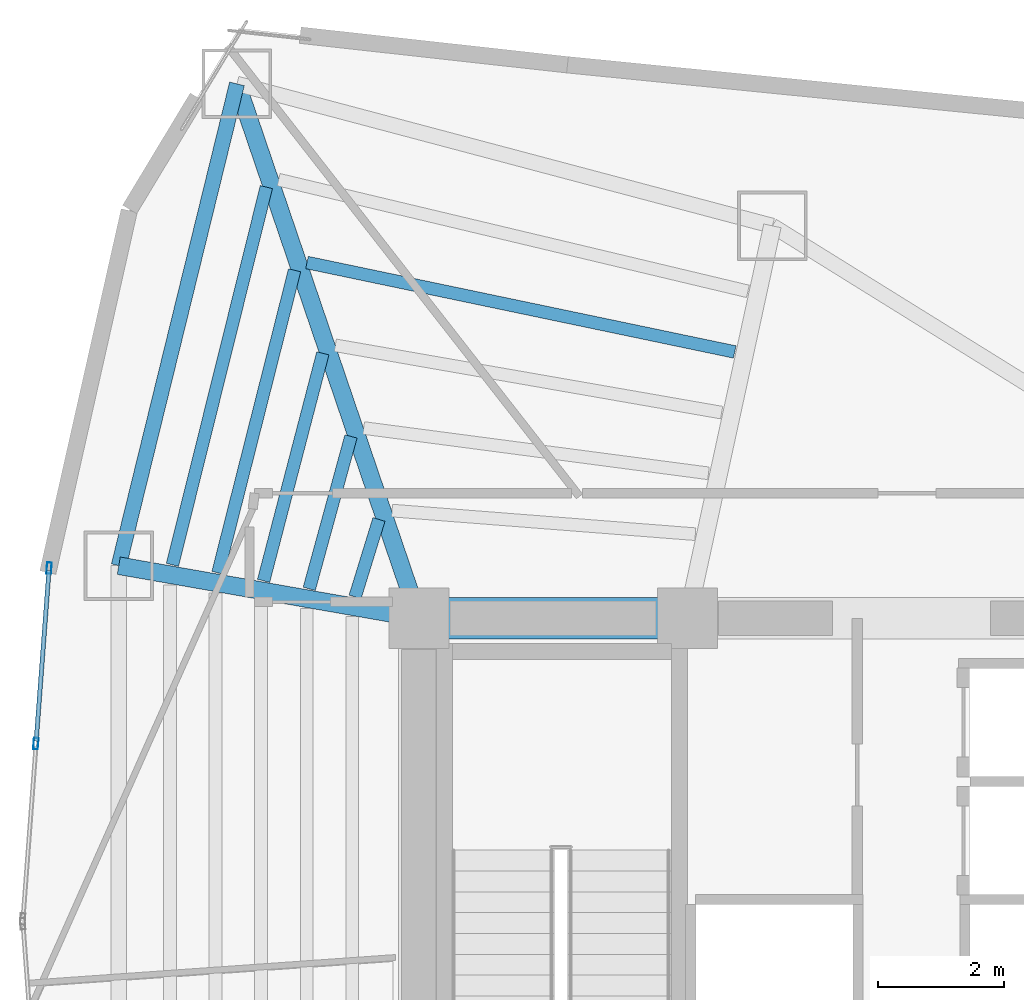
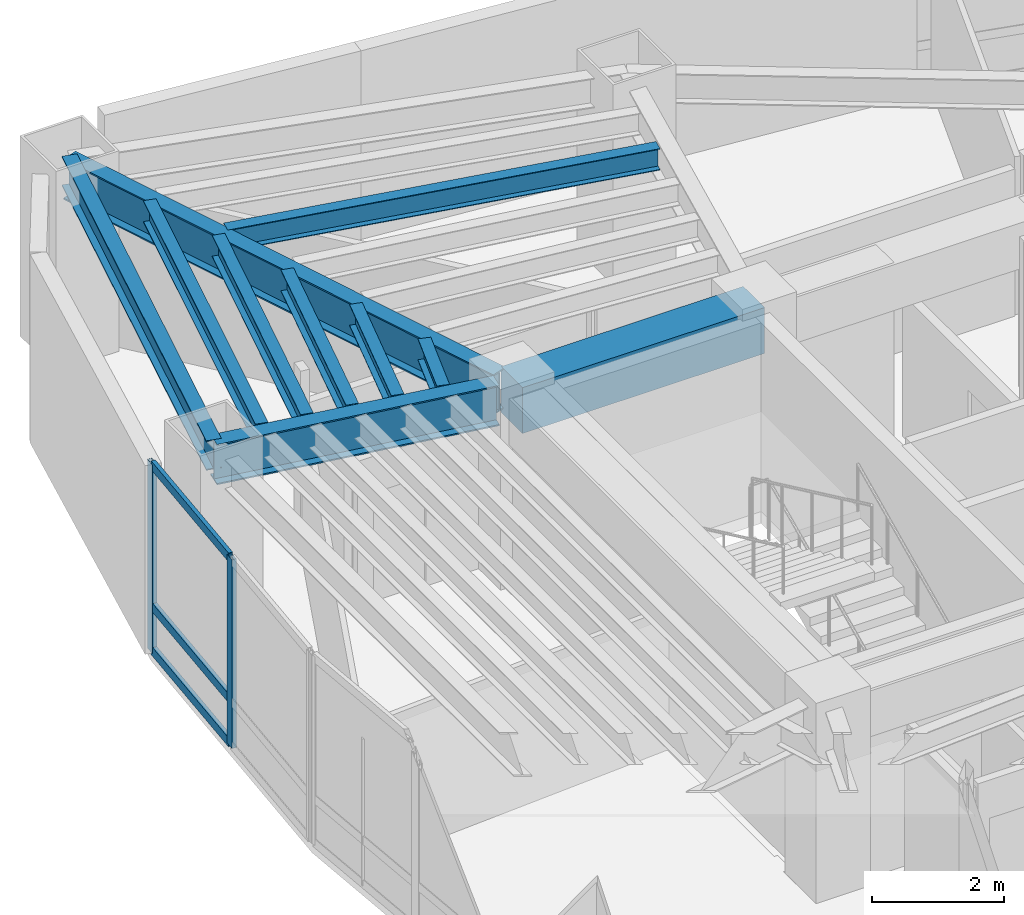
# One storey, part 7 of 18: 10 beams, 5 members, 1 element without a shape of its own.
"""IFC4 building model written with IfcOpenShell, lengths in metres."""

from ifc_helpers import new_model, si_unit, direction, frame, origin, origin_2d, place, context, subcontext, project, spatial, rectangle, hollow_rectangle, i_section, extrude, material, layer, layer_set, material_profile, profile_set, type_object, element, aggregate, save


model = new_model("IFC4")

# Units and contexts
model_context = context("Model", 3, precision=1e-05, world=origin(), true_north=direction((0.0, 1.0)))
body_context = subcontext(model_context, "Body", "Model", "MODEL_VIEW")
ifc_project = project(units=[si_unit("LENGTHUNIT", "METRE"), si_unit("AREAUNIT", "SQUARE_METRE"), si_unit("VOLUMEUNIT", "CUBIC_METRE"), si_unit("PLANEANGLEUNIT", "RADIAN"), si_unit("MASSUNIT", "GRAM", prefix="KILO")], contexts=[model_context])

# Site, building, storey
site_placement = place(None, origin())
site = spatial("IfcSite", under=ifc_project, at=site_placement, CompositionType="ELEMENT")
building_placement = place(site_placement, origin())
building = spatial("IfcBuilding", under=site, at=building_placement, Name="Menara Vayukalpa", CompositionType="ELEMENT")
storey_placement = place(building_placement, frame((0.0, 0.0, 165.47998046875)))
storey = spatial("IfcBuildingStorey", under=building, at=storey_placement, Name="L41", CompositionType="ELEMENT", Elevation=165.47998046875)

# Beams
ifc_material_1 = material(Name="Concrete C60/75", Category="concrete")
ifc_material_profile_1 = material_profile(ifc_material_1, rectangle(XDim=0.64990234375, YDim=0.85009765625, at=origin_2d()), Name="RC 650x850")
ifc_profile_set_1 = profile_set([ifc_material_profile_1], Name="Concrete C60/75")
beam_type_1 = type_object("IfcBeamType", Name="BM-CB1", PredefinedType="BEAM", material=ifc_profile_set_1)
beam_1_placement = place(storey_placement, frame((17.800048828125, 26.800048828125, 3.074951171875), z_axis=(1.0, 0.0, 0.0), x_axis=(0.0, 1.0, 0.0)))
element("IfcBeam", 1, at=beam_1_placement, inside=storey, type_object=beam_type_1, Name="L41 Core Tie Beam CBR4", PredefinedType="BEAM", context=body_context, shape_type="SweptSolid", body=[
    extrude(rectangle(XDim=0.64990234375, YDim=0.85009765625, at=origin_2d()), origin(), (0.0, 0.0, 1.0), 4.25),
])
ifc_material_2 = material(Name="Steel S355", Category="steel")
ifc_material_profile_2 = material_profile(ifc_material_2, i_section(OverallWidth=0.280029296875, OverallDepth=0.75, WebThickness=0.013916015625, FlangeThickness=0.02490234375, at=origin_2d()), Name="WF 750x280x14x25")
ifc_profile_set_2 = profile_set([ifc_material_profile_2], Name="Steel S355")
beam_type_2 = type_object("IfcBeamType", Name="BM-PG4", PredefinedType="BEAM", material=ifc_profile_set_2)
beam_2_placement = place(storey_placement, frame((17.719482421875, 27.03662109375, 3.125), z_axis=(-0.322207533072, 0.946669058136, 0.0), x_axis=(-0.946669058136, -0.322207533072, 0.0)))
element("IfcBeam", 2, at=beam_2_placement, inside=storey, type_object=beam_type_2, Name="L41 Primary Radial Girder RG04", PredefinedType="BEAM", context=body_context, shape_type="SweptSolid", body=[
    extrude(i_section(OverallWidth=0.280029296875, OverallDepth=0.75, WebThickness=0.013916015625, FlangeThickness=0.02490234375, at=origin_2d()), origin(), (0.0, 0.0, 1.0), 8.687255859375),
])
beam_3_placement = place(storey_placement, frame((17.5537109375, 26.843017578125, 3.125), z_axis=(-0.985011651805, 0.172487813505, 0.0), x_axis=(-0.172487813505, -0.985011651805, 0.0)))
element("IfcBeam", 3, at=beam_3_placement, inside=storey, type_object=beam_type_2, Name="L41 Primary Radial Girder RG05", PredefinedType="BEAM", context=body_context, shape_type="SweptSolid", body=[
    extrude(i_section(OverallWidth=0.280029296875, OverallDepth=0.75, WebThickness=0.013916015625, FlangeThickness=0.02490234375, at=origin_2d()), origin(), (0.0, 0.0, 1.0), 4.5732421875),
])
ifc_material_3 = material(Name="Steel S355", Category="steel")
ifc_material_profile_3 = material_profile(ifc_material_3, i_section(OverallWidth=0.199951171875, OverallDepth=0.39990234375, WebThickness=0.008056640625, FlangeThickness=0.012939453125, at=origin_2d()), Name="WF 400x200x8x13")
ifc_profile_set_3 = profile_set([ifc_material_profile_3], Name="Steel S355")
beam_type_3 = type_object("IfcBeamType", Name="BM-SJ2", PredefinedType="JOIST", material=ifc_profile_set_3)
beam_4_placement = place(storey_placement, frame((22.80029296875, 31.015625, 3.300048828125), z_axis=(-0.97882747282, 0.204687025611, 0.0), x_axis=(-0.204687025611, -0.97882747282, 0.0)))
element("IfcBeam", 4, at=beam_4_placement, inside=storey, type_object=beam_type_3, Name="L41 Secondary Floor Joist SJ03-4", PredefinedType="JOIST", context=body_context, shape_type="SweptSolid", body=[
    extrude(i_section(OverallWidth=0.199951171875, OverallDepth=0.39990234375, WebThickness=0.008056640625, FlangeThickness=0.012939453125, at=origin_2d()), origin(), (0.0, 0.0, 1.0), 6.91796875),
])
beam_5_placement = place(storey_placement, frame((17.16845703125, 28.364013671875, 3.300048828125), z_axis=(-0.294914687622, -0.955523587896, 0.0), x_axis=(0.955523587896, -0.294914687622, 0.0)))
element("IfcBeam", 5, at=beam_5_placement, inside=storey, type_object=beam_type_3, Name="L41 Secondary Floor Joist SJ04-1", PredefinedType="JOIST", context=body_context, shape_type="SweptSolid", body=[
    extrude(i_section(OverallWidth=0.199951171875, OverallDepth=0.39990234375, WebThickness=0.008056640625, FlangeThickness=0.012939453125, at=origin_2d()), origin(), (0.0, 0.0, 1.0), 1.283203125),
])
beam_6_placement = place(storey_placement, frame((16.7255859375, 29.678466796875, 3.300048828125), z_axis=(-0.264264990211, -0.96445011014, 0.0), x_axis=(0.96445011014, -0.264264990211, 0.0)))
element("IfcBeam", 6, at=beam_6_placement, inside=storey, type_object=beam_type_3, Name="L41 Secondary Floor Joist SJ04-2", PredefinedType="JOIST", context=body_context, shape_type="SweptSolid", body=[
    extrude(i_section(OverallWidth=0.199951171875, OverallDepth=0.39990234375, WebThickness=0.008056640625, FlangeThickness=0.012939453125, at=origin_2d()), origin(), (0.0, 0.0, 1.0), 2.501708984375),
])
beam_7_placement = place(storey_placement, frame((16.27978515625, 30.993896484375, 3.300048828125), z_axis=(-0.25203199701, -0.967718901584, 0.0), x_axis=(0.967718901584, -0.25203199701, 0.0)))
element("IfcBeam", 7, at=beam_7_placement, inside=storey, type_object=beam_type_3, Name="L41 Secondary Floor Joist SJ04-3", PredefinedType="JOIST", context=body_context, shape_type="SweptSolid", body=[
    extrude(i_section(OverallWidth=0.199951171875, OverallDepth=0.39990234375, WebThickness=0.008056640625, FlangeThickness=0.012939453125, at=origin_2d()), origin(), (0.0, 0.0, 1.0), 3.7216796875),
])
beam_8_placement = place(storey_placement, frame((15.8330078125, 32.309326171875, 3.300048828125), z_axis=(-0.245487100754, -0.969399857315, 0.0), x_axis=(0.969399857315, -0.245487100754, 0.0)))
element("IfcBeam", 8, at=beam_8_placement, inside=storey, type_object=beam_type_3, Name="L41 Secondary Floor Joist SJ04-4", PredefinedType="JOIST", context=body_context, shape_type="SweptSolid", body=[
    extrude(i_section(OverallWidth=0.199951171875, OverallDepth=0.39990234375, WebThickness=0.008056640625, FlangeThickness=0.012939453125, at=origin_2d()), origin(), (0.0, 0.0, 1.0), 4.941650390625),
])
beam_9_placement = place(storey_placement, frame((15.3857421875, 33.625, 3.300048828125), z_axis=(-0.241360851184, -0.970435438098, 0.0), x_axis=(0.970435438098, -0.241360851184, 0.0)))
element("IfcBeam", 9, at=beam_9_placement, inside=storey, type_object=beam_type_3, Name="L41 Secondary Floor Joist SJ04-5", PredefinedType="JOIST", context=body_context, shape_type="SweptSolid", body=[
    extrude(i_section(OverallWidth=0.199951171875, OverallDepth=0.39990234375, WebThickness=0.008056640625, FlangeThickness=0.012939453125, at=origin_2d()), origin(), (0.0, 0.0, 1.0), 6.162109375),
])
ifc_material_4 = material(Name="Steel S355", Category="steel")
ifc_material_profile_4 = material_profile(ifc_material_4, i_section(OverallWidth=0.239990234375, OverallDepth=0.550048828125, WebThickness=0.010986328125, FlangeThickness=0.01904296875, at=origin_2d()), Name="WF 550x240x11x19")
ifc_profile_set_4 = profile_set([ifc_material_profile_4], Name="Steel S355")
beam_type_4 = type_object("IfcBeamType", Name="BM-SP2", PredefinedType="SPANDREL", material=ifc_profile_set_4)
beam_10_placement = place(storey_placement, frame((14.92041015625, 35.260498046875, 3.22509765625), z_axis=(-0.238240335346, -0.971206230733, 0.0), x_axis=(0.971206230733, -0.238240335346, 0.0)))
element("IfcBeam", 10, at=beam_10_placement, inside=storey, type_object=beam_type_4, Name="L41 Perimeter Spandrel Beam SP04", PredefinedType="SPANDREL", context=body_context, shape_type="SweptSolid", body=[
    extrude(i_section(OverallWidth=0.239990234375, OverallDepth=0.550048828125, WebThickness=0.010986328125, FlangeThickness=0.01904296875, at=origin_2d()), origin(), (0.0, 0.0, 1.0), 7.854736328125),
])

# Curtain wall, members
ifc_material_5 = material(Name="Anodised Terracotta Aluminium Alloy 6063-T6", Category="masonry")
ifc_layer = layer(ifc_material_5, 0.179931640625)
ifc_layer_set = layer_set([ifc_layer], Name="Anodised Terracotta Aluminium Alloy 6063-T6")
curtain_wall_type = type_object("IfcCurtainWallType", Name="CW-CW4", PredefinedType="USERDEFINED", material=ifc_layer_set)
curtain_wall_placement = place(storey_placement, origin())
curtain_wall = element("IfcCurtainWall", 11, at=curtain_wall_placement, inside=storey, type_object=curtain_wall_type, Name="L41 Sky Bar Cantilever Glazed Curtain Wall CW4 10", ObjectType="UNITISED", PredefinedType="USERDEFINED")
ifc_material_6 = material(Name="Anodised Terracotta Aluminium Alloy 6063-T6", Category="masonry")
ifc_material_profile_5 = material_profile(ifc_material_6, hollow_rectangle(XDim=0.074951171875, YDim=0.179931640625, WallThickness=0.00390625, at=origin_2d()), Name="ALU 75x180x4")
ifc_profile_set_5 = profile_set([ifc_material_profile_5], Name="Anodised Terracotta Aluminium Alloy 6063-T6")
member_type_1 = type_object("IfcMemberType", Name="CWM-CW4", PredefinedType="MULLION", material=ifc_profile_set_5)
member_1_placement = place(storey_placement, frame((11.9462890625, 27.594482421875, 0.0), z_axis=(0.0, 0.0, 1.0), x_axis=(0.997199111801, -0.074792589364, 0.0)))
member_1 = element("IfcMember", 12, at=member_1_placement, type_object=member_type_1, Name="CW4 mullion 1", PredefinedType="MULLION", context=body_context, shape_type="SweptSolid", body=[
    extrude(hollow_rectangle(XDim=0.074951171875, YDim=0.179931640625, WallThickness=0.00390625, at=origin_2d()), origin(), (0.0, 0.0, 1.0), 3.5),
])
member_2_placement = place(storey_placement, frame((11.73779296875, 24.81591796875, 0.0), z_axis=(0.0, 0.0, 1.0), x_axis=(0.997199111801, -0.074792589364, 0.0)))
member_2 = element("IfcMember", 13, at=member_2_placement, type_object=member_type_1, Name="CW4 mullion 2", PredefinedType="MULLION", context=body_context, shape_type="SweptSolid", body=[
    extrude(hollow_rectangle(XDim=0.074951171875, YDim=0.179931640625, WallThickness=0.00390625, at=origin_2d()), origin(), (0.0, 0.0, 1.0), 3.5),
])
ifc_material_7 = material(Name="Anodised Terracotta Aluminium Alloy 6063-T6", Category="masonry")
ifc_material_profile_6 = material_profile(ifc_material_7, hollow_rectangle(XDim=0.070068359375, YDim=0.1650390625, WallThickness=0.00390625, at=origin_2d()), Name="ALU 70x165x4")
ifc_profile_set_6 = profile_set([ifc_material_profile_6], Name="Anodised Terracotta Aluminium Alloy 6063-T6")
member_type_2 = type_object("IfcMemberType", Name="CWT-CW4", PredefinedType="USERDEFINED", material=ifc_profile_set_6)
member_3_placement = place(storey_placement, frame((11.943603515625, 27.55712890625, 0.034912109375), z_axis=(-0.074823524461, -0.997196791104, 0.0), x_axis=(0.997196791104, -0.074823524461, 0.0)))
member_3 = element("IfcMember", 14, at=member_3_placement, type_object=member_type_2, Name="CW4 transom 1.1", ObjectType="TRANSOM", PredefinedType="USERDEFINED", context=body_context, shape_type="SweptSolid", body=[
    extrude(hollow_rectangle(XDim=0.070068359375, YDim=0.1650390625, WallThickness=0.00390625, at=origin_2d()), origin(), (0.0, 0.0, 1.0), 2.71142578125),
])
member_4_placement = place(storey_placement, frame((11.943603515625, 27.55712890625, 0.85009765625), z_axis=(-0.074823524461, -0.997196791104, 0.0), x_axis=(0.997196791104, -0.074823524461, 0.0)))
member_4 = element("IfcMember", 15, at=member_4_placement, type_object=member_type_2, Name="CW4 transom 1.2", ObjectType="TRANSOM", PredefinedType="USERDEFINED", context=body_context, shape_type="SweptSolid", body=[
    extrude(hollow_rectangle(XDim=0.070068359375, YDim=0.1650390625, WallThickness=0.00390625, at=origin_2d()), origin(), (0.0, 0.0, 1.0), 2.71142578125),
])
member_5_placement = place(storey_placement, frame((11.943603515625, 27.55712890625, 3.465087890625), z_axis=(-0.074823524461, -0.997196791104, 0.0), x_axis=(0.997196791104, -0.074823524461, 0.0)))
member_5 = element("IfcMember", 16, at=member_5_placement, type_object=member_type_2, Name="CW4 transom 1.3", ObjectType="TRANSOM", PredefinedType="USERDEFINED", context=body_context, shape_type="SweptSolid", body=[
    extrude(hollow_rectangle(XDim=0.070068359375, YDim=0.1650390625, WallThickness=0.00390625, at=origin_2d()), origin(), (0.0, 0.0, 1.0), 2.71142578125),
])
aggregate(curtain_wall, [member_1, member_2, member_3, member_4, member_5])

save(model, "model.ifc")
